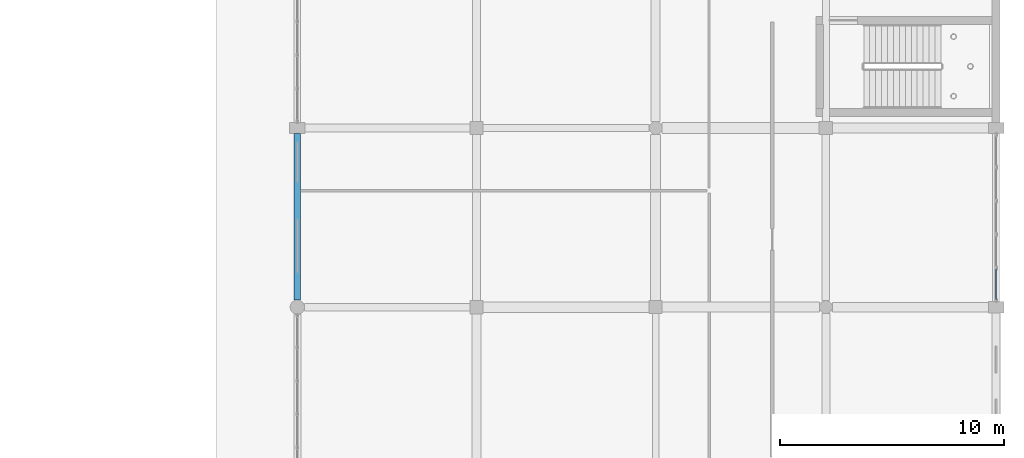
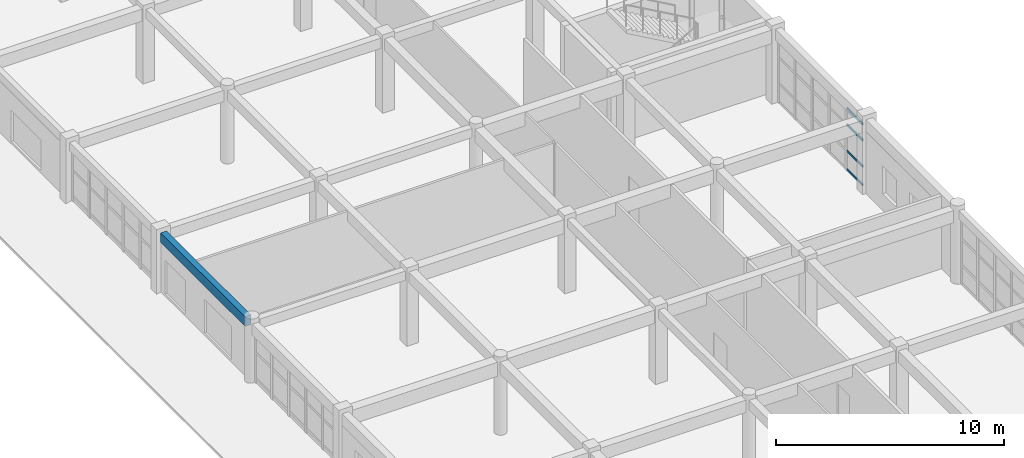
# One storey, part 75 of 121: 4 members, 1 beam, 1 element without a shape of its own.
"""IFC4 building model written with IfcOpenShell, lengths in metres."""

import ifcopenshell
import ifcopenshell.guid

model = None  # the IFC model being written
_history = None  # IfcOwnerHistory: only IFC2X3 demands one
_inside = {}  # id of a spatial element -> (the spatial element, [elements in it])
_under = {}  # id of a project, library or spatial element -> (it, [spatial elements below it])
_declared = {}  # id of a project -> (the project, [libraries it declares])
_typed = {}  # id of a type object -> (the type object, [elements of that type])
_made_of = {}  # id of a material, layer set ... -> (it, [elements and type objects made of it])


def new_model(schema):
    """Start an empty IFC model of exactly this schema.

    Asked for "IFC4X3", IfcOpenShell would pick the latest addendum, in which some entities
    have other attributes; the version numbers below select the first issue.
    IFC2X3 requires an IfcOwnerHistory on every rooted entity: one is made here for all.
    """
    global model, _history
    if schema == "IFC4X3":
        model = ifcopenshell.file(schema_version=(4, 3, 0, 0))
    else:
        model = ifcopenshell.file(schema=schema)
    _inside.clear()
    _under.clear()
    _declared.clear()
    _typed.clear()
    _made_of.clear()
    _history = None
    if model.schema == "IFC2X3":
        org = make("IfcOrganization", Name="unknown")
        user = make(
            "IfcPersonAndOrganization",
            ThePerson=make("IfcPerson", FamilyName="unknown"),
            TheOrganization=org,
        )
        app = make(
            "IfcApplication",
            ApplicationDeveloper=org,
            Version="unknown",
            ApplicationFullName="unknown",
            ApplicationIdentifier="unknown",
        )
        _history = make(
            "IfcOwnerHistory",
            OwningUser=user,
            OwningApplication=app,
            ChangeAction="ADDED",
            CreationDate=0,
        )
    return model


def make(cls, **values):
    """One entity of the class cls with the attributes given. An attribute that is None is left unset."""
    return model.create_entity(
        cls, **{name: value for name, value in values.items() if value is not None}
    )


def rooted(cls, **values):
    """An entity with a GlobalId (a new one), such as an element, a storey or a relation."""
    return make(cls, GlobalId=ifcopenshell.guid.new(), OwnerHistory=_history, **values)


def si_unit(unit_type, name, prefix=None):
    """IfcSIUnit, for example si_unit("LENGTHUNIT", "METRE", prefix="MILLI")."""
    return make("IfcSIUnit", UnitType=unit_type, Prefix=prefix, Name=name)


def assignment(units):
    """IfcUnitAssignment: the units of a project."""
    return None if units is None else make("IfcUnitAssignment", Units=units)


def point(xyz):
    """IfcCartesianPoint."""
    return None if xyz is None else make("IfcCartesianPoint", Coordinates=xyz)


def direction(xyz):
    """IfcDirection."""
    return None if xyz is None else make("IfcDirection", DirectionRatios=xyz)


def frame(location, z_axis=None, x_axis=None):
    """IfcAxis2Placement3D, a coordinate frame: its origin and axes. An axis left out is left unset."""
    return make(
        "IfcAxis2Placement3D",
        Location=point(location),
        Axis=direction(z_axis),
        RefDirection=direction(x_axis),
    )


def frame_2d(location, x_axis=None):
    """IfcAxis2Placement2D, a coordinate frame in the plane: its origin and x axis."""
    return make(
        "IfcAxis2Placement2D", Location=point(location), RefDirection=direction(x_axis)
    )


def origin():
    """The frame at (0, 0, 0) with its axes left unset."""
    return frame((0.0, 0.0, 0.0))


def origin_2d():
    """The frame at (0, 0) in the plane with its x axis left unset."""
    return frame_2d((0.0, 0.0))


def place(relative_to, where):
    """IfcLocalPlacement: puts the frame where relative to a parent placement (None: the world)."""
    return make(
        "IfcLocalPlacement", PlacementRelTo=relative_to, RelativePlacement=where
    )


def context(
    kind, dimensions, precision=None, world=None, true_north=None, identifier=None
):
    """IfcGeometricRepresentationContext, for example the 3D "Model" context."""
    return make(
        "IfcGeometricRepresentationContext",
        ContextIdentifier=identifier,
        ContextType=kind,
        CoordinateSpaceDimension=dimensions,
        Precision=precision,
        WorldCoordinateSystem=world,
        TrueNorth=true_north,
    )


def subcontext(parent, identifier, kind, view, scale=None):
    """IfcGeometricRepresentationSubContext, for example "Body" below "Model"."""
    return make(
        "IfcGeometricRepresentationSubContext",
        ContextIdentifier=identifier,
        ContextType=kind,
        ParentContext=parent,
        TargetScale=scale,
        TargetView=view,
    )


def project(units=None, contexts=None):
    """IfcProject with its units and contexts."""
    return rooted(
        "IfcProject",
        Name="project",
        RepresentationContexts=contexts,
        UnitsInContext=assignment(units),
    )


def spatial(cls, under=None, at=None, **own):
    """A site, building, storey or space (cls), placed at a placement, below another one or the project."""
    s = rooted(cls, ObjectPlacement=at, **own)
    if under is not None:
        _under.setdefault(under.id(), (under, []))[1].append(s)
    return s


def profile(cls, at=None, kind="AREA", **sizes):
    """A parametric profile (cls). Its sizes go by their IFC names, for example OverallWidth=200.0."""
    return make(cls, ProfileType=kind, Position=at, **sizes)


def rectangle(**sizes):
    """IfcRectangleProfileDef."""
    return profile("IfcRectangleProfileDef", **sizes)


def hollow_rectangle(**sizes):
    """IfcRectangleHollowProfileDef."""
    return profile("IfcRectangleHollowProfileDef", **sizes)


def extrude(swept, where, along, depth):
    """IfcExtrudedAreaSolid: the profile swept, set in the frame where, extruded along a direction by depth."""
    return make(
        "IfcExtrudedAreaSolid",
        SweptArea=swept,
        Position=where,
        ExtrudedDirection=direction(along),
        Depth=depth,
    )


def shape(context_of_items, identifier, shape_type, items):
    """IfcShapeRepresentation: the items that make up one representation, for example the "Body"."""
    return make(
        "IfcShapeRepresentation",
        ContextOfItems=context_of_items,
        RepresentationIdentifier=identifier,
        RepresentationType=shape_type,
        Items=items,
    )


def material(Name=None, Category=None):
    """IfcMaterial."""
    return make("IfcMaterial", Name=Name, Category=Category)


def material_profile(
    of_material, cross_section, Name=None, Category=None, Priority=None
):
    """IfcMaterialProfile: a cross section and its material."""
    return make(
        "IfcMaterialProfile",
        Name=Name,
        Material=of_material,
        Profile=cross_section,
        Priority=Priority,
        Category=Category,
    )


def profile_set(profiles, Name=None, composite=None):
    """IfcMaterialProfileSet."""
    return make(
        "IfcMaterialProfileSet",
        Name=Name,
        MaterialProfiles=profiles,
        CompositeProfile=composite,
    )


def made_of(thing, what):
    """Note that an element or type object is made of a material, layer set ...; save() writes the relation."""
    if what is not None:
        _made_of.setdefault(what.id(), (what, []))[1].append(thing)
    return thing


def type_object(cls, material=None, **own):
    """A type object (cls), such as IfcWallType, which elements share."""
    return made_of(rooted(cls, **own), material)


def element(
    cls,
    number,
    at=None,
    inside=None,
    cuts=None,
    type_object=None,
    material=None,
    context=None,
    identifier="Body",
    shape_type=None,
    held_by="IfcProductDefinitionShape",
    body=None,
    shapes=None,
    **own,
):
    """One element of the class cls, such as IfcWall. Its Tag is "e" and its number.

    at: its placement. inside: the storey or other place that contains it. cuts: it is an
    opening in that element (IfcRelVoidsElement). A single representation is given by context,
    identifier, shape_type and body (its items); several are given by shapes. held_by: the class
    of the entity that holds the representations. save() writes the other relations.
    """
    e = rooted(cls, Tag="e%d" % number, ObjectPlacement=at, **own)
    if body is not None:
        shapes = [shape(context, identifier, shape_type, body)]
    if shapes is not None:
        e.Representation = make(held_by, Representations=shapes)
    if inside is not None:
        _inside.setdefault(inside.id(), (inside, []))[1].append(e)
    if cuts is not None:
        rooted(
            "IfcRelVoidsElement", RelatingBuildingElement=cuts, RelatedOpeningElement=e
        )
    if type_object is not None:
        _typed.setdefault(type_object.id(), (type_object, []))[1].append(e)
    return made_of(e, material)


def aggregate(whole, parts):
    """IfcRelAggregates: a whole, such as a stair, and the parts it consists of."""
    return rooted("IfcRelAggregates", RelatingObject=whole, RelatedObjects=parts)


def save(model, path):
    """Write the relations noted so far, then the file.

    IfcRelAggregates (storeys below a building ...), IfcRelContainedInSpatialStructure (elements
    in a storey), IfcRelDefinesByType, IfcRelAssociatesMaterial and IfcRelDeclares: one each for
    every whole, place, type object, material and project.
    """
    for whole, parts in _under.values():
        aggregate(whole, parts)
    for where, things in _inside.values():
        rooted(
            "IfcRelContainedInSpatialStructure",
            RelatedElements=things,
            RelatingStructure=where,
        )
    for kind, things in _typed.values():
        rooted("IfcRelDefinesByType", RelatedObjects=things, RelatingType=kind)
    for what, things in _made_of.values():
        rooted("IfcRelAssociatesMaterial", RelatedObjects=things, RelatingMaterial=what)
    for by, libraries in _declared.values():
        rooted("IfcRelDeclares", RelatingContext=by, RelatedDefinitions=libraries)
    model.write(path)


model = new_model("IFC4")

# Units and contexts
model_context = context("Model", 3, precision=1e-05, world=origin(), true_north=direction((0.0, 1.0)))
body_context = subcontext(model_context, "Body", "Model", "MODEL_VIEW")
ifc_project = project(units=[si_unit("LENGTHUNIT", "METRE"), si_unit("AREAUNIT", "SQUARE_METRE"), si_unit("VOLUMEUNIT", "CUBIC_METRE"), si_unit("PLANEANGLEUNIT", "RADIAN"), si_unit("MASSUNIT", "GRAM", prefix="KILO")], contexts=[model_context])

# Site, building, storey
site_placement = place(None, origin())
site = spatial("IfcSite", under=ifc_project, at=site_placement, CompositionType="ELEMENT")
building_placement = place(site_placement, origin())
building = spatial("IfcBuilding", under=site, at=building_placement, Name="Kharva Crest Polytechnic", CompositionType="ELEMENT")
storey_placement = place(building_placement, frame((0.0, 0.0, 13.199951171875)))
storey = spatial("IfcBuildingStorey", under=building, at=storey_placement, Name="L03", CompositionType="ELEMENT", Elevation=13.199951171875)

# Curtain wall, members
ifc_material_1 = material(Name="Tempered insulated glass", Category="glass")
curtain_wall_type = type_object("IfcCurtainWallType", Name="CW-SYS-COURT", PredefinedType="USERDEFINED", material=ifc_material_1)
curtain_wall_placement = place(storey_placement, origin())
curtain_wall = element("IfcCurtainWall", 1, at=curtain_wall_placement, inside=storey, type_object=curtain_wall_type, Name="L03 Glazed Curtain Wall CW-150", ObjectType="CURTAIN WALL", PredefinedType="USERDEFINED")
ifc_material_2 = material(Name="Steel S355", Category="steel")
ifc_material_profile_1 = material_profile(ifc_material_2, hollow_rectangle(XDim=0.06005859375, YDim=0.1201171875, WallThickness=0.00390625, at=origin_2d()), Name="RHS 120X60X4.0")
ifc_profile_set_1 = profile_set([ifc_material_profile_1], Name="Steel S355")
member_type = type_object("IfcMemberType", Name="CWT-RHS120X60", PredefinedType="USERDEFINED", material=ifc_profile_set_1)
member_1_placement = place(storey_placement, frame((184.0, 63.135009765625, 0.06005859375), z_axis=(0.0, 1.0, 0.0), x_axis=(-1.0, 0.0, 0.0)))
member_1 = element("IfcMember", 2, at=member_1_placement, type_object=member_type, Name="CW-150 transom 1.1", ObjectType="TRANSOM", PredefinedType="USERDEFINED", context=body_context, shape_type="SweptSolid", body=[
    extrude(hollow_rectangle(XDim=0.06005859375, YDim=0.1201171875, WallThickness=0.00390625, at=origin_2d()), origin(), (0.0, 0.0, 1.0), 1.3779296875),
])
member_2_placement = place(storey_placement, frame((184.0, 63.135009765625, 1.050048828125), z_axis=(0.0, 1.0, 0.0), x_axis=(-1.0, 0.0, 0.0)))
member_2 = element("IfcMember", 3, at=member_2_placement, type_object=member_type, Name="CW-150 transom 1.2", ObjectType="TRANSOM", PredefinedType="USERDEFINED", context=body_context, shape_type="SweptSolid", body=[
    extrude(hollow_rectangle(XDim=0.06005859375, YDim=0.1201171875, WallThickness=0.00390625, at=origin_2d()), origin(), (0.0, 0.0, 1.0), 1.3779296875),
])
member_3_placement = place(storey_placement, frame((184.0, 63.135009765625, 2.449951171875), z_axis=(0.0, 1.0, 0.0), x_axis=(-1.0, 0.0, 0.0)))
member_3 = element("IfcMember", 4, at=member_3_placement, type_object=member_type, Name="CW-150 transom 1.3", ObjectType="TRANSOM", PredefinedType="USERDEFINED", context=body_context, shape_type="SweptSolid", body=[
    extrude(hollow_rectangle(XDim=0.06005859375, YDim=0.1201171875, WallThickness=0.00390625, at=origin_2d()), origin(), (0.0, 0.0, 1.0), 1.3779296875),
])
member_4_placement = place(storey_placement, frame((184.0, 63.135009765625, 3.320068359375), z_axis=(0.0, 1.0, 0.0), x_axis=(-1.0, 0.0, 0.0)))
member_4 = element("IfcMember", 5, at=member_4_placement, type_object=member_type, Name="CW-150 transom 1.4", ObjectType="TRANSOM", PredefinedType="USERDEFINED", context=body_context, shape_type="SweptSolid", body=[
    extrude(hollow_rectangle(XDim=0.06005859375, YDim=0.1201171875, WallThickness=0.00390625, at=origin_2d()), origin(), (0.0, 0.0, 1.0), 1.3779296875),
])
aggregate(curtain_wall, [member_1, member_2, member_3, member_4])

# Beam
ifc_material_3 = material(Name="Concrete C35/45", Category="concrete")
ifc_material_profile_2 = material_profile(ifc_material_3, rectangle(XDim=0.300048828125, YDim=0.52001953125, at=origin_2d()), Name="RECT 300 X 520")
ifc_profile_set_2 = profile_set([ifc_material_profile_2], Name="Concrete C35/45")
beam_type = type_object("IfcBeamType", Name="SP-RC-300X520", PredefinedType="SPANDREL", material=ifc_profile_set_2)
beam_placement = place(storey_placement, frame((152.800048828125, 63.1201171875, 3.699951171875), z_axis=(0.0, 1.0, 0.0), x_axis=(-1.0, 0.0, 0.0)))
element("IfcBeam", 6, at=beam_placement, inside=storey, type_object=beam_type, Name="L03 Girder 20/J-K", PredefinedType="SPANDREL", context=body_context, shape_type="SweptSolid", body=[
    extrude(rectangle(XDim=0.300048828125, YDim=0.52001953125, at=origin_2d()), origin(), (0.0, 0.0, 1.0), 7.429931640625),
])

save(model, "model.ifc")
